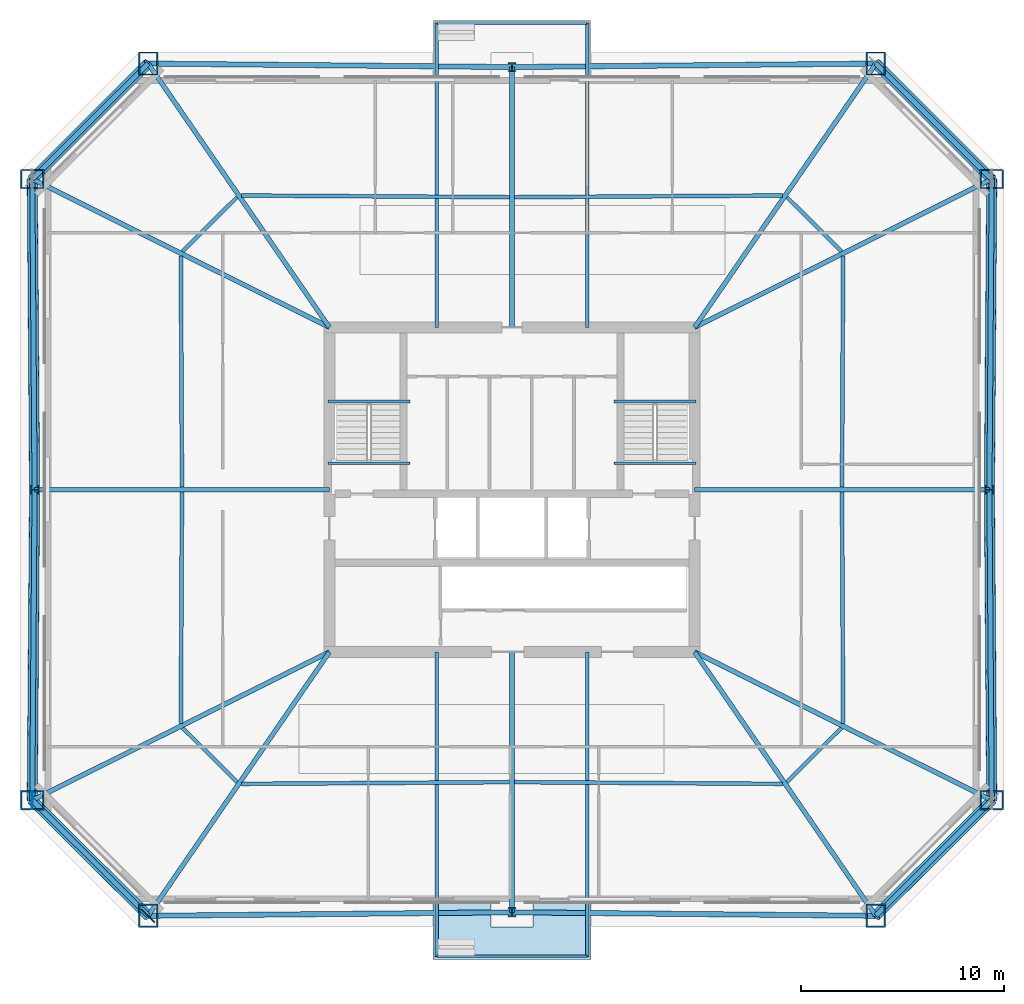
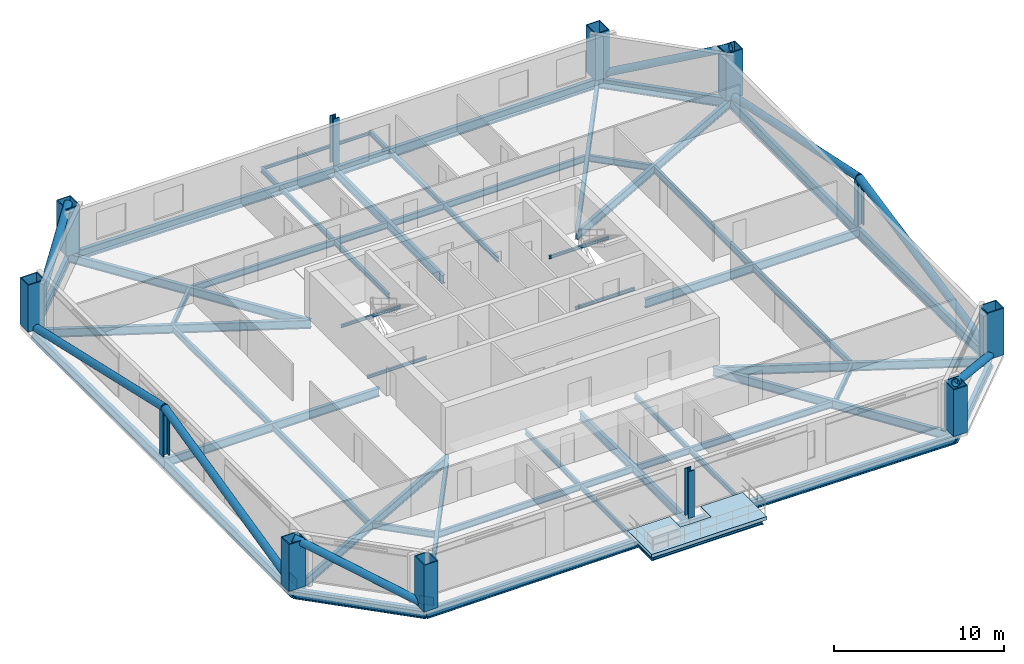
# One storey, part 1 of 7: 46 beams, 12 columns, 8 members, 2 plates, 1 slab.
"""IFC4 building model written with IfcOpenShell, lengths in metres."""

from ifc_helpers import new_model, si_unit, direction, frame, origin, origin_2d, place, context, subcontext, project, spatial, polyline, rectangle, hollow_rectangle, hollow_circle, i_section, outline, extrude, material, layer, layer_set, material_profile, profile_set, type_object, element, save


model = new_model("IFC4")

# Units and contexts
model_context = context("Model", 3, precision=1e-05, world=origin(), true_north=direction((0.0, 1.0)))
body_context = subcontext(model_context, "Body", "Model", "MODEL_VIEW")
ifc_project = project(units=[si_unit("LENGTHUNIT", "METRE"), si_unit("AREAUNIT", "SQUARE_METRE"), si_unit("VOLUMEUNIT", "CUBIC_METRE"), si_unit("PLANEANGLEUNIT", "RADIAN"), si_unit("MASSUNIT", "GRAM", prefix="KILO")], contexts=[model_context])

# Site, building, storey
site_placement = place(None, origin())
site = spatial("IfcSite", under=ifc_project, at=site_placement, CompositionType="ELEMENT")
building_placement = place(site_placement, origin())
building = spatial("IfcBuilding", under=site, at=building_placement, Name="Caelvoria Tower", CompositionType="ELEMENT")
storey_placement = place(building_placement, frame((0.0, 0.0, 106.0)))
storey = spatial("IfcBuildingStorey", under=building, at=storey_placement, Name="L27", CompositionType="ELEMENT", Elevation=106.0)

# Columns
ifc_material_1 = material(Name="Structural Steel ASTM A572 Gr.50", Category="steel")
ifc_material_profile_1 = material_profile(ifc_material_1, hollow_rectangle(XDim=0.949951171875, YDim=1.14990234375, WallThickness=0.06005859375, at=origin_2d()), Name="Structural Steel ASTM A572 Gr.50")
ifc_profile_set_1 = profile_set([ifc_material_profile_1], Name="BOX1150X950X60 - Structural Steel ASTM A572 Gr.50")
column_type_1 = type_object("IfcColumnType", Name="Mega Box Column 1150x950x60", PredefinedType="COLUMN", material=ifc_profile_set_1)
for number, where, z_axis, x_axis, name in (
    (1, (28.0673828125, 10.99755859375, 0.0), (0.0, 0.0, 1.0), (1.0, 0.0, 0.0), "Perimeter Megaframe Column L27-P00"),
    (2, (63.9326171875, 10.99755859375, 0.0), (0.0, 0.0, 1.0), (1.0, 0.0, 0.0), "Perimeter Megaframe Column L27-P02"),
    (3, (69.6455078125, 16.69140625, 0.0), (0.0, 0.0, 1.0), (0.0, 1.0, 0.0), "Perimeter Megaframe Column L27-P03"),
    (4, (69.6455078125, 47.30859375, 0.0), (0.0, 0.0, 1.0), (0.0, 1.0, 0.0), "Perimeter Megaframe Column L27-P05"),
    (5, (63.9326171875, 53.00244140625, 0.0), (0.0, 0.0, 1.0), (1.0, 0.0, 0.0), "Perimeter Megaframe Column L27-P06"),
    (6, (28.0673828125, 53.00244140625, 0.0), (0.0, 0.0, 1.0), (1.0, 0.0, 0.0), "Perimeter Megaframe Column L27-P08"),
    (7, (22.3544921875, 47.30859375, 0.0), (0.0, 0.0, 1.0), (0.0, 1.0, 0.0), "Perimeter Megaframe Column L27-P09"),
    (8, (22.3544921875, 16.69140625, 0.0), (0.0, 0.0, 1.0), (0.0, 1.0, 0.0), "Perimeter Megaframe Column L27-P11"),
):
    element("IfcColumn", number, at=place(storey_placement, frame(where, z_axis=z_axis, x_axis=x_axis)), inside=storey, type_object=column_type_1, Name=name, PredefinedType="COLUMN", context=body_context, shape_type="SweptSolid", body=[
        extrude(hollow_rectangle(XDim=0.949951171875, YDim=1.14990234375, WallThickness=0.06005859375, at=origin_2d()), origin(), (0.0, 0.0, 1.0), 3.35791015625),
    ])
ifc_material_2 = material(Name="Structural Steel ASTM A913 Gr.65", Category="steel")
ifc_material_profile_2 = material_profile(ifc_material_2, i_section(OverallWidth=0.41796875, OverallDepth=0.455078125, WebThickness=0.0419921875, FlangeThickness=0.067626953125, FilletRadius=0.02490234375, at=origin_2d()), Name="Structural Steel ASTM A913 Gr.65")
ifc_profile_set_2 = profile_set([ifc_material_profile_2], Name="W360X551 - Structural Steel ASTM A913 Gr.65")
column_type_2 = type_object("IfcColumnType", Name="Mid Frame Column W360X551", PredefinedType="COLUMN", material=ifc_profile_set_2)
for number, where, z_axis, x_axis, name in (
    (9, (46.0, 11.169921875, 0.0), (0.0, 0.0, 1.0), (1.0, 0.0, 0.0), "Perimeter Megaframe Column L27-P01"),
    (10, (69.530029296875, 32.0, 0.0), (0.0, 0.0, 1.0), (0.0, 1.0, 0.0), "Perimeter Megaframe Column L27-P04"),
    (11, (46.0, 52.830078125, 0.0), (0.0, 0.0, 1.0), (1.0, 0.0, 0.0), "Perimeter Megaframe Column L27-P07"),
    (12, (22.469970703125, 32.0, 0.0), (0.0, 0.0, 1.0), (0.0, 1.0, 0.0), "Perimeter Megaframe Column L27-P10"),
):
    element("IfcColumn", number, at=place(storey_placement, frame(where, z_axis=z_axis, x_axis=x_axis)), inside=storey, type_object=column_type_2, Name=name, PredefinedType="COLUMN", context=body_context, shape_type="SweptSolid", body=[
        extrude(i_section(OverallWidth=0.41796875, OverallDepth=0.455078125, WebThickness=0.0419921875, FlangeThickness=0.067626953125, FilletRadius=0.02490234375, at=origin_2d()), origin(), (0.0, 0.0, 1.0), 3.35791015625),
    ])

# Beams
ifc_material_3 = material(Name="Structural Steel ASTM A992 Gr.50", Category="steel")
ifc_material_profile_3 = material_profile(ifc_material_3, i_section(OverallWidth=0.134033203125, OverallDepth=0.2099609375, WebThickness=0.00634765625, FlangeThickness=0.01025390625, FilletRadius=0.010009765625, at=origin_2d()), Name="Structural Steel ASTM A992 Gr.50")
ifc_profile_set_3 = profile_set([ifc_material_profile_3], Name="W200X31.3 - Structural Steel ASTM A992 Gr.50")
beam_type_1 = type_object("IfcBeamType", Name="Canopy Edge Trim Beam W200X31.3", PredefinedType="BEAM", material=ifc_profile_set_3)
for number, where, z_axis, x_axis, name in (
    (13, (42.300048828125, 9.0, -0.428955078125), (1.0, 0.0, 0.0), (0.0, 1.0, 0.0), "Tree Balcony Edge Beam TB-L27-S"),
    (14, (42.300048828125, 55.0, -0.428955078125), (1.0, 0.0, 0.0), (0.0, 1.0, 0.0), "Tree Balcony Edge Beam TB-L27-N"),
):
    element("IfcBeam", number, at=place(storey_placement, frame(where, z_axis=z_axis, x_axis=x_axis)), inside=storey, type_object=beam_type_1, Name=name, PredefinedType="BEAM", context=body_context, shape_type="SweptSolid", body=[
        extrude(i_section(OverallWidth=0.134033203125, OverallDepth=0.2099609375, WebThickness=0.00634765625, FlangeThickness=0.01025390625, FilletRadius=0.010009765625, at=origin_2d()), origin(), (0.0, 0.0, 1.0), 7.39990234375),
    ])
for number, where, z_axis, x_axis, name in (
    (15, (36.929931640625, 36.35009765625, 1.4951171875), (1.0, 0.0, 0.0), (0.0, 1.0, 0.0), "ST-01 Half-Landing Support Beam L27"),
    (16, (36.929931640625, 33.300048828125, -0.304931640625), (1.0, 0.0, 0.0), (0.0, 1.0, 0.0), "ST-01 Floor-Landing Support Beam L27"),
    (17, (51.030029296875, 36.35009765625, 1.4951171875), (1.0, 0.0, 0.0), (0.0, 1.0, 0.0), "ST-02 Half-Landing Support Beam L27"),
    (18, (51.030029296875, 33.300048828125, -0.304931640625), (1.0, 0.0, 0.0), (0.0, 1.0, 0.0), "ST-02 Floor-Landing Support Beam L27"),
):
    element("IfcBeam", number, at=place(storey_placement, frame(where, z_axis=z_axis, x_axis=x_axis)), inside=storey, type_object=beam_type_1, Name=name, PredefinedType="BEAM", context=body_context, shape_type="SweptSolid", body=[
        extrude(i_section(OverallWidth=0.134033203125, OverallDepth=0.2099609375, WebThickness=0.00634765625, FlangeThickness=0.01025390625, FilletRadius=0.010009765625, at=origin_2d()), origin(), (0.0, 0.0, 1.0), 4.0400390625),
    ])

# Members
ifc_material_profile_4 = material_profile(ifc_material_1, hollow_circle(Radius=0.25390625, WallThickness=0.02001953125, at=origin_2d()), Name="Structural Steel ASTM A572 Gr.50")
ifc_profile_set_4 = profile_set([ifc_material_profile_4], Name="CHS508X20 - Structural Steel ASTM A572 Gr.50")
member_type = type_object("IfcMemberType", Name="Mid Perimeter Mega Brace CHS508X20", PredefinedType="BRACE", material=ifc_profile_set_4)
for number, where, z_axis, x_axis, name in (
    (19, (69.6455078125, 16.69140625, 0.0), (-0.653821123588, -0.651641719843, 0.38455299675), (0.705925318692, -0.708286272936, 0.0), "Perimeter Chamfer Mega Brace L27 SE"),
    (20, (63.9326171875, 53.00244140625, 0.0), (0.653821123588, -0.651641719843, 0.38455299675), (0.705925318692, 0.708286272936, 0.0), "Perimeter Chamfer Mega Brace L27 NE"),
    (21, (22.3544921875, 47.30859375, 0.0), (0.653821123588, 0.651641719843, 0.38455299675), (-0.705925318692, 0.708286272936, 0.0), "Perimeter Chamfer Mega Brace L27 NW"),
    (22, (28.0673828125, 10.99755859375, 0.0), (-0.653821123588, 0.651641719843, 0.38455299675), (-0.705925318692, -0.708286272936, 0.0), "Perimeter Chamfer Mega Brace L27 SW"),
):
    element("IfcMember", number, at=place(storey_placement, frame(where, z_axis=z_axis, x_axis=x_axis)), inside=storey, type_object=member_type, Name=name, PredefinedType="BRACE", context=body_context, shape_type="SweptSolid", body=[
        extrude(hollow_circle(Radius=0.25390625, WallThickness=0.02001953125, at=origin_2d()), origin(), (0.0, 0.0, 1.0), 8.73779296875),
    ])
for number, where, z_axis, x_axis, name in (
    (23, (69.6455078125, 16.69140625, 0.0), (-0.007367784016, 0.976722048561, 0.214382265156), (-0.999971549935, -0.007543163803, 0.0), "Perimeter Cardinal Mega Brace L27 EA"),
    (24, (69.6455078125, 47.30859375, 0.0), (-0.007367784016, -0.976722048561, 0.214382265156), (0.999971549935, -0.007543163803, 0.0), "Perimeter Cardinal Mega Brace L27 EB"),
    (25, (22.3544921875, 47.30859375, 0.0), (0.007367784016, -0.976722048561, 0.214382265156), (0.999971549935, 0.007543163803, 0.0), "Perimeter Cardinal Mega Brace L27 WA"),
    (26, (22.3544921875, 16.69140625, 0.0), (0.007367784016, 0.976722048561, 0.214382265156), (-0.999971549935, 0.007543163803, 0.0), "Perimeter Cardinal Mega Brace L27 WB"),
):
    element("IfcMember", number, at=place(storey_placement, frame(where, z_axis=z_axis, x_axis=x_axis)), inside=storey, type_object=member_type, Name=name, PredefinedType="BRACE", context=body_context, shape_type="SweptSolid", body=[
        extrude(hollow_circle(Radius=0.25390625, WallThickness=0.02001953125, at=origin_2d()), origin(), (0.0, 0.0, 1.0), 15.67333984375),
    ])

# Beams
ifc_material_profile_5 = material_profile(ifc_material_3, i_section(OverallWidth=0.25390625, OverallDepth=0.68798828125, WebThickness=0.01318359375, FlangeThickness=0.02099609375, FilletRadius=0.01904296875, at=origin_2d()), Name="Structural Steel ASTM A992 Gr.50")
ifc_profile_set_5 = profile_set([ifc_material_profile_5], Name="W690X152 - Structural Steel ASTM A992 Gr.50")
beam_type_2 = type_object("IfcBeamType", Name="Perimeter Spandrel Girder W690X152", PredefinedType="BEAM", material=ifc_profile_set_5)
for number, where, z_axis, x_axis, name in (
    (27, (28.0673828125, 10.99755859375, -0.583984375), (0.999953810627, 0.009611275259, 0.0), (-0.009611275259, 0.999953810627, 0.0), "Perimeter Spandrel Girder L27-00"),
    (28, (46.0, 11.169921875, -0.583984375), (0.999953810627, -0.009611275259, 0.0), (0.009611275259, 0.999953810627, 0.0), "Perimeter Spandrel Girder L27-01"),
):
    element("IfcBeam", number, at=place(storey_placement, frame(where, z_axis=z_axis, x_axis=x_axis)), inside=storey, type_object=beam_type_2, Name=name, PredefinedType="BEAM", context=body_context, shape_type="SweptSolid", body=[
        extrude(i_section(OverallWidth=0.25390625, OverallDepth=0.68798828125, WebThickness=0.01318359375, FlangeThickness=0.02099609375, FilletRadius=0.01904296875, at=origin_2d()), origin(), (0.0, 0.0, 1.0), 17.933349609375),
    ])
beam_1_placement = place(storey_placement, frame((63.9326171875, 10.99755859375, -0.583984375), z_axis=(0.708286272936, 0.705925318692, 0.0), x_axis=(-0.705925318692, 0.708286272936, 0.0)))
element("IfcBeam", 29, at=beam_1_placement, inside=storey, type_object=beam_type_2, Name="Perimeter Spandrel Girder L27-02", PredefinedType="BEAM", context=body_context, shape_type="SweptSolid", body=[
    extrude(i_section(OverallWidth=0.25390625, OverallDepth=0.68798828125, WebThickness=0.01318359375, FlangeThickness=0.02099609375, FilletRadius=0.01904296875, at=origin_2d()), origin(), (0.0, 0.0, 1.0), 8.065673828125),
])
for number, where, z_axis, x_axis, name in (
    (30, (69.6455078125, 16.69140625, -0.583984375), (-0.007543163803, 0.999971549935, 0.0), (-0.999971549935, -0.007543163803, 0.0), "Perimeter Spandrel Girder L27-03"),
    (31, (69.530029296875, 32.0, -0.583984375), (0.007543163803, 0.999971549935, 0.0), (-0.999971549935, 0.007543163803, 0.0), "Perimeter Spandrel Girder L27-04"),
):
    element("IfcBeam", number, at=place(storey_placement, frame(where, z_axis=z_axis, x_axis=x_axis)), inside=storey, type_object=beam_type_2, Name=name, PredefinedType="BEAM", context=body_context, shape_type="SweptSolid", body=[
        extrude(i_section(OverallWidth=0.25390625, OverallDepth=0.68798828125, WebThickness=0.01318359375, FlangeThickness=0.02099609375, FilletRadius=0.01904296875, at=origin_2d()), origin(), (0.0, 0.0, 1.0), 15.30908203125),
    ])
beam_2_placement = place(storey_placement, frame((69.6455078125, 47.30859375, -0.583984375), z_axis=(-0.708286272936, 0.705925318692, 0.0), x_axis=(-0.705925318692, -0.708286272936, 0.0)))
element("IfcBeam", 32, at=beam_2_placement, inside=storey, type_object=beam_type_2, Name="Perimeter Spandrel Girder L27-05", PredefinedType="BEAM", context=body_context, shape_type="SweptSolid", body=[
    extrude(i_section(OverallWidth=0.25390625, OverallDepth=0.68798828125, WebThickness=0.01318359375, FlangeThickness=0.02099609375, FilletRadius=0.01904296875, at=origin_2d()), origin(), (0.0, 0.0, 1.0), 8.065673828125),
])
for number, where, z_axis, x_axis, name in (
    (33, (63.9326171875, 53.00244140625, -0.583984375), (-0.999953810627, -0.009611275259, 0.0), (0.009611275259, -0.999953810627, 0.0), "Perimeter Spandrel Girder L27-06"),
    (34, (46.0, 52.830078125, -0.583984375), (-0.999953810627, 0.009611275259, 0.0), (-0.009611275259, -0.999953810627, 0.0), "Perimeter Spandrel Girder L27-07"),
):
    element("IfcBeam", number, at=place(storey_placement, frame(where, z_axis=z_axis, x_axis=x_axis)), inside=storey, type_object=beam_type_2, Name=name, PredefinedType="BEAM", context=body_context, shape_type="SweptSolid", body=[
        extrude(i_section(OverallWidth=0.25390625, OverallDepth=0.68798828125, WebThickness=0.01318359375, FlangeThickness=0.02099609375, FilletRadius=0.01904296875, at=origin_2d()), origin(), (0.0, 0.0, 1.0), 17.933349609375),
    ])
beam_3_placement = place(storey_placement, frame((28.0673828125, 53.00244140625, -0.583984375), z_axis=(-0.708286272936, -0.705925318692, 0.0), x_axis=(0.705925318692, -0.708286272936, 0.0)))
element("IfcBeam", 35, at=beam_3_placement, inside=storey, type_object=beam_type_2, Name="Perimeter Spandrel Girder L27-08", PredefinedType="BEAM", context=body_context, shape_type="SweptSolid", body=[
    extrude(i_section(OverallWidth=0.25390625, OverallDepth=0.68798828125, WebThickness=0.01318359375, FlangeThickness=0.02099609375, FilletRadius=0.01904296875, at=origin_2d()), origin(), (0.0, 0.0, 1.0), 8.065673828125),
])
for number, where, z_axis, x_axis, name in (
    (36, (22.3544921875, 47.30859375, -0.583984375), (0.007543163803, -0.999971549935, 0.0), (0.999971549935, 0.007543163803, 0.0), "Perimeter Spandrel Girder L27-09"),
    (37, (22.469970703125, 32.0, -0.583984375), (-0.007543163803, -0.999971549935, 0.0), (0.999971549935, -0.007543163803, 0.0), "Perimeter Spandrel Girder L27-10"),
):
    element("IfcBeam", number, at=place(storey_placement, frame(where, z_axis=z_axis, x_axis=x_axis)), inside=storey, type_object=beam_type_2, Name=name, PredefinedType="BEAM", context=body_context, shape_type="SweptSolid", body=[
        extrude(i_section(OverallWidth=0.25390625, OverallDepth=0.68798828125, WebThickness=0.01318359375, FlangeThickness=0.02099609375, FilletRadius=0.01904296875, at=origin_2d()), origin(), (0.0, 0.0, 1.0), 15.30908203125),
    ])
beam_4_placement = place(storey_placement, frame((22.3544921875, 16.69140625, -0.583984375), z_axis=(0.708286272936, -0.705925318692, 0.0), x_axis=(0.705925318692, 0.708286272936, 0.0)))
element("IfcBeam", 38, at=beam_4_placement, inside=storey, type_object=beam_type_2, Name="Perimeter Spandrel Girder L27-11", PredefinedType="BEAM", context=body_context, shape_type="SweptSolid", body=[
    extrude(i_section(OverallWidth=0.25390625, OverallDepth=0.68798828125, WebThickness=0.01318359375, FlangeThickness=0.02099609375, FilletRadius=0.01904296875, at=origin_2d()), origin(), (0.0, 0.0, 1.0), 8.065673828125),
])
ifc_material_profile_6 = material_profile(ifc_material_3, i_section(OverallWidth=0.22900390625, OverallDepth=0.612060546875, WebThickness=0.011962890625, FlangeThickness=0.01953125, FilletRadius=0.01806640625, at=origin_2d()), Name="Structural Steel ASTM A992 Gr.50")
ifc_profile_set_6 = profile_set([ifc_material_profile_6], Name="W610X125 - Structural Steel ASTM A992 Gr.50")
beam_type_3 = type_object("IfcBeamType", Name="Primary Radial Floor Girder W610X125", PredefinedType="BEAM", material=ifc_profile_set_6)
beam_5_placement = place(storey_placement, frame((37.0, 24.0, -0.5458984375), z_axis=(-0.566246357652, -0.824236047771, 0.0), x_axis=(0.824236047771, -0.566246357652, 0.0)))
element("IfcBeam", 39, at=beam_5_placement, inside=storey, type_object=beam_type_3, Name="Primary Floor Girder L27-00", PredefinedType="BEAM", context=body_context, shape_type="SweptSolid", body=[
    extrude(i_section(OverallWidth=0.22900390625, OverallDepth=0.612060546875, WebThickness=0.011962890625, FlangeThickness=0.01953125, FilletRadius=0.01806640625, at=origin_2d()), origin(), (0.0, 0.0, 1.0), 15.775146484375),
])
beam_6_placement = place(storey_placement, frame((46.0, 24.0, -0.5458984375), z_axis=(0.0, -1.0, 0.0), x_axis=(1.0, 0.0, 0.0)))
element("IfcBeam", 40, at=beam_6_placement, inside=storey, type_object=beam_type_3, Name="Primary Floor Girder L27-01", PredefinedType="BEAM", context=body_context, shape_type="SweptSolid", body=[
    extrude(i_section(OverallWidth=0.22900390625, OverallDepth=0.612060546875, WebThickness=0.011962890625, FlangeThickness=0.01953125, FilletRadius=0.01806640625, at=origin_2d()), origin(), (0.0, 0.0, 1.0), 12.830078125),
])
beam_7_placement = place(storey_placement, frame((55.0, 24.0, -0.5458984375), z_axis=(0.566246357652, -0.824236047771, 0.0), x_axis=(0.824236047771, 0.566246357652, 0.0)))
element("IfcBeam", 41, at=beam_7_placement, inside=storey, type_object=beam_type_3, Name="Primary Floor Girder L27-02", PredefinedType="BEAM", context=body_context, shape_type="SweptSolid", body=[
    extrude(i_section(OverallWidth=0.22900390625, OverallDepth=0.612060546875, WebThickness=0.011962890625, FlangeThickness=0.01953125, FilletRadius=0.01806640625, at=origin_2d()), origin(), (0.0, 0.0, 1.0), 15.775146484375),
])
beam_8_placement = place(storey_placement, frame((55.0, 24.0, -0.5458984375), z_axis=(0.894772971324, -0.446521365432, 0.0), x_axis=(0.446521365432, 0.894772971324, 0.0)))
element("IfcBeam", 42, at=beam_8_placement, inside=storey, type_object=beam_type_3, Name="Primary Floor Girder L27-03", PredefinedType="BEAM", context=body_context, shape_type="SweptSolid", body=[
    extrude(i_section(OverallWidth=0.22900390625, OverallDepth=0.612060546875, WebThickness=0.011962890625, FlangeThickness=0.01953125, FilletRadius=0.01806640625, at=origin_2d()), origin(), (0.0, 0.0, 1.0), 16.367919921875),
])
beam_9_placement = place(storey_placement, frame((55.0, 32.0, -0.5458984375), z_axis=(1.0, 0.0, 0.0), x_axis=(0.0, 1.0, 0.0)))
element("IfcBeam", 43, at=beam_9_placement, inside=storey, type_object=beam_type_3, Name="Primary Floor Girder L27-04", PredefinedType="BEAM", context=body_context, shape_type="SweptSolid", body=[
    extrude(i_section(OverallWidth=0.22900390625, OverallDepth=0.612060546875, WebThickness=0.011962890625, FlangeThickness=0.01953125, FilletRadius=0.01806640625, at=origin_2d()), origin(), (0.0, 0.0, 1.0), 14.530029296875),
])
beam_10_placement = place(storey_placement, frame((55.0, 40.0, -0.5458984375), z_axis=(0.894772971324, 0.446521365432, 0.0), x_axis=(-0.446521365432, 0.894772971324, 0.0)))
element("IfcBeam", 44, at=beam_10_placement, inside=storey, type_object=beam_type_3, Name="Primary Floor Girder L27-05", PredefinedType="BEAM", context=body_context, shape_type="SweptSolid", body=[
    extrude(i_section(OverallWidth=0.22900390625, OverallDepth=0.612060546875, WebThickness=0.011962890625, FlangeThickness=0.01953125, FilletRadius=0.01806640625, at=origin_2d()), origin(), (0.0, 0.0, 1.0), 16.367919921875),
])
beam_11_placement = place(storey_placement, frame((55.0, 40.0, -0.5458984375), z_axis=(0.566246357652, 0.824236047771, 0.0), x_axis=(-0.824236047771, 0.566246357652, 0.0)))
element("IfcBeam", 45, at=beam_11_placement, inside=storey, type_object=beam_type_3, Name="Primary Floor Girder L27-06", PredefinedType="BEAM", context=body_context, shape_type="SweptSolid", body=[
    extrude(i_section(OverallWidth=0.22900390625, OverallDepth=0.612060546875, WebThickness=0.011962890625, FlangeThickness=0.01953125, FilletRadius=0.01806640625, at=origin_2d()), origin(), (0.0, 0.0, 1.0), 15.775146484375),
])
beam_12_placement = place(storey_placement, frame((46.0, 40.0, -0.5458984375), z_axis=(0.0, 1.0, 0.0), x_axis=(-1.0, 0.0, 0.0)))
element("IfcBeam", 46, at=beam_12_placement, inside=storey, type_object=beam_type_3, Name="Primary Floor Girder L27-07", PredefinedType="BEAM", context=body_context, shape_type="SweptSolid", body=[
    extrude(i_section(OverallWidth=0.22900390625, OverallDepth=0.612060546875, WebThickness=0.011962890625, FlangeThickness=0.01953125, FilletRadius=0.01806640625, at=origin_2d()), origin(), (0.0, 0.0, 1.0), 12.830078125),
])
beam_13_placement = place(storey_placement, frame((37.0, 40.0, -0.5458984375), z_axis=(-0.566246357652, 0.824236047771, 0.0), x_axis=(-0.824236047771, -0.566246357652, 0.0)))
element("IfcBeam", 47, at=beam_13_placement, inside=storey, type_object=beam_type_3, Name="Primary Floor Girder L27-08", PredefinedType="BEAM", context=body_context, shape_type="SweptSolid", body=[
    extrude(i_section(OverallWidth=0.22900390625, OverallDepth=0.612060546875, WebThickness=0.011962890625, FlangeThickness=0.01953125, FilletRadius=0.01806640625, at=origin_2d()), origin(), (0.0, 0.0, 1.0), 15.775146484375),
])
beam_14_placement = place(storey_placement, frame((37.0, 40.0, -0.5458984375), z_axis=(-0.894772971324, 0.446521365432, 0.0), x_axis=(-0.446521365432, -0.894772971324, 0.0)))
element("IfcBeam", 48, at=beam_14_placement, inside=storey, type_object=beam_type_3, Name="Primary Floor Girder L27-09", PredefinedType="BEAM", context=body_context, shape_type="SweptSolid", body=[
    extrude(i_section(OverallWidth=0.22900390625, OverallDepth=0.612060546875, WebThickness=0.011962890625, FlangeThickness=0.01953125, FilletRadius=0.01806640625, at=origin_2d()), origin(), (0.0, 0.0, 1.0), 16.367919921875),
])
beam_15_placement = place(storey_placement, frame((37.0, 32.0, -0.5458984375), z_axis=(-1.0, 0.0, 0.0), x_axis=(0.0, -1.0, 0.0)))
element("IfcBeam", 49, at=beam_15_placement, inside=storey, type_object=beam_type_3, Name="Primary Floor Girder L27-10", PredefinedType="BEAM", context=body_context, shape_type="SweptSolid", body=[
    extrude(i_section(OverallWidth=0.22900390625, OverallDepth=0.612060546875, WebThickness=0.011962890625, FlangeThickness=0.01953125, FilletRadius=0.01806640625, at=origin_2d()), origin(), (0.0, 0.0, 1.0), 14.530029296875),
])
beam_16_placement = place(storey_placement, frame((37.0, 24.0, -0.5458984375), z_axis=(-0.894772971324, -0.446521365432, 0.0), x_axis=(0.446521365432, -0.894772971324, 0.0)))
element("IfcBeam", 50, at=beam_16_placement, inside=storey, type_object=beam_type_3, Name="Primary Floor Girder L27-11", PredefinedType="BEAM", context=body_context, shape_type="SweptSolid", body=[
    extrude(i_section(OverallWidth=0.22900390625, OverallDepth=0.612060546875, WebThickness=0.011962890625, FlangeThickness=0.01953125, FilletRadius=0.01806640625, at=origin_2d()), origin(), (0.0, 0.0, 1.0), 16.367919921875),
])
ifc_material_profile_7 = material_profile(ifc_material_3, i_section(OverallWidth=0.18994140625, OverallDepth=0.45703125, WebThickness=0.009033203125, FlangeThickness=0.014404296875, FilletRadius=0.014892578125, at=origin_2d()), Name="Structural Steel ASTM A992 Gr.50")
ifc_profile_set_7 = profile_set([ifc_material_profile_7], Name="W460X74 - Structural Steel ASTM A992 Gr.50")
beam_type_4 = type_object("IfcBeamType", Name="Secondary Floor Beam W460X74", PredefinedType="BEAM", material=ifc_profile_set_7)
for number, where, z_axis, x_axis, name in (
    (51, (32.65869140625, 17.49951171875, -0.468505859375), (0.999979456458, 0.006409887897, 0.0), (-0.006409887897, 0.999979456458, 0.0), "Secondary Floor Beam L27-00"),
    (52, (46.125, 17.584228515625, -0.468505859375), (0.999979456458, -0.006409887897, 0.0), (0.006409887897, 0.999979456458, 0.0), "Secondary Floor Beam L27-01"),
):
    element("IfcBeam", number, at=place(storey_placement, frame(where, z_axis=z_axis, x_axis=x_axis)), inside=storey, type_object=beam_type_4, Name=name, PredefinedType="BEAM", context=body_context, shape_type="SweptSolid", body=[
        extrude(i_section(OverallWidth=0.18994140625, OverallDepth=0.45703125, WebThickness=0.009033203125, FlangeThickness=0.014404296875, FilletRadius=0.014892578125, at=origin_2d()), origin(), (0.0, 0.0, 1.0), 13.216552734375),
    ])
beam_17_placement = place(storey_placement, frame((59.5546875, 17.5869140625, -0.468505859375), z_axis=(0.708331875661, 0.705879560494, 0.0), x_axis=(-0.705879560494, 0.708331875661, 0.0)))
element("IfcBeam", 53, at=beam_17_placement, inside=storey, type_object=beam_type_4, Name="Secondary Floor Beam L27-02", PredefinedType="BEAM", context=body_context, shape_type="SweptSolid", body=[
    extrude(i_section(OverallWidth=0.18994140625, OverallDepth=0.45703125, WebThickness=0.009033203125, FlangeThickness=0.014404296875, FilletRadius=0.014892578125, at=origin_2d()), origin(), (0.0, 0.0, 1.0), 3.783203125),
])
for number, where, z_axis, x_axis, name in (
    (54, (62.322265625, 20.470703125, -0.468505859375), (-0.004966542616, 0.999987666651, 0.0), (-0.999987666651, -0.004966542616, 0.0), "Secondary Floor Beam L27-03"),
    (55, (62.265625, 32.125, -0.468505859375), (0.004966542616, 0.999987666651, 0.0), (-0.999987666651, 0.004966542616, 0.0), "Secondary Floor Beam L27-04"),
):
    element("IfcBeam", number, at=place(storey_placement, frame(where, z_axis=z_axis, x_axis=x_axis)), inside=storey, type_object=beam_type_4, Name=name, PredefinedType="BEAM", context=body_context, shape_type="SweptSolid", body=[
        extrude(i_section(OverallWidth=0.18994140625, OverallDepth=0.45703125, WebThickness=0.009033203125, FlangeThickness=0.014404296875, FilletRadius=0.014892578125, at=origin_2d()), origin(), (0.0, 0.0, 1.0), 11.404541015625),
    ])
beam_18_placement = place(storey_placement, frame((62.234375, 43.74267578125, -0.468505859375), z_axis=(-0.708331875661, 0.705879560494, 0.0), x_axis=(-0.705879560494, -0.708331875661, 0.0)))
element("IfcBeam", 56, at=beam_18_placement, inside=storey, type_object=beam_type_4, Name="Secondary Floor Beam L27-05", PredefinedType="BEAM", context=body_context, shape_type="SweptSolid", body=[
    extrude(i_section(OverallWidth=0.18994140625, OverallDepth=0.45703125, WebThickness=0.009033203125, FlangeThickness=0.014404296875, FilletRadius=0.014892578125, at=origin_2d()), origin(), (0.0, 0.0, 1.0), 3.783203125),
])
for number, where, z_axis, x_axis, name in (
    (57, (59.34130859375, 46.50048828125, -0.468505859375), (-0.999979456458, -0.006409887897, 0.0), (0.006409887897, -0.999979456458, 0.0), "Secondary Floor Beam L27-06"),
    (58, (45.875, 46.415771484375, -0.468505859375), (-0.999979456458, 0.006409887897, 0.0), (-0.006409887897, -0.999979456458, 0.0), "Secondary Floor Beam L27-07"),
):
    element("IfcBeam", number, at=place(storey_placement, frame(where, z_axis=z_axis, x_axis=x_axis)), inside=storey, type_object=beam_type_4, Name=name, PredefinedType="BEAM", context=body_context, shape_type="SweptSolid", body=[
        extrude(i_section(OverallWidth=0.18994140625, OverallDepth=0.45703125, WebThickness=0.009033203125, FlangeThickness=0.014404296875, FilletRadius=0.014892578125, at=origin_2d()), origin(), (0.0, 0.0, 1.0), 13.216552734375),
    ])
beam_19_placement = place(storey_placement, frame((32.4453125, 46.4130859375, -0.468505859375), z_axis=(-0.708331875661, -0.705879560494, 0.0), x_axis=(0.705879560494, -0.708331875661, 0.0)))
element("IfcBeam", 59, at=beam_19_placement, inside=storey, type_object=beam_type_4, Name="Secondary Floor Beam L27-08", PredefinedType="BEAM", context=body_context, shape_type="SweptSolid", body=[
    extrude(i_section(OverallWidth=0.18994140625, OverallDepth=0.45703125, WebThickness=0.009033203125, FlangeThickness=0.014404296875, FilletRadius=0.014892578125, at=origin_2d()), origin(), (0.0, 0.0, 1.0), 3.783203125),
])
for number, where, z_axis, x_axis, name in (
    (60, (29.677734375, 43.529296875, -0.468505859375), (0.004966542616, -0.999987666651, 0.0), (0.999987666651, 0.004966542616, 0.0), "Secondary Floor Beam L27-09"),
    (61, (29.734375, 31.875, -0.468505859375), (-0.004966542616, -0.999987666651, 0.0), (0.999987666651, -0.004966542616, 0.0), "Secondary Floor Beam L27-10"),
):
    element("IfcBeam", number, at=place(storey_placement, frame(where, z_axis=z_axis, x_axis=x_axis)), inside=storey, type_object=beam_type_4, Name=name, PredefinedType="BEAM", context=body_context, shape_type="SweptSolid", body=[
        extrude(i_section(OverallWidth=0.18994140625, OverallDepth=0.45703125, WebThickness=0.009033203125, FlangeThickness=0.014404296875, FilletRadius=0.014892578125, at=origin_2d()), origin(), (0.0, 0.0, 1.0), 11.404541015625),
    ])
beam_20_placement = place(storey_placement, frame((29.765625, 20.25732421875, -0.468505859375), z_axis=(0.708331875661, -0.705879560494, 0.0), x_axis=(0.705879560494, 0.708331875661, 0.0)))
element("IfcBeam", 62, at=beam_20_placement, inside=storey, type_object=beam_type_4, Name="Secondary Floor Beam L27-11", PredefinedType="BEAM", context=body_context, shape_type="SweptSolid", body=[
    extrude(i_section(OverallWidth=0.18994140625, OverallDepth=0.45703125, WebThickness=0.009033203125, FlangeThickness=0.014404296875, FilletRadius=0.014892578125, at=origin_2d()), origin(), (0.0, 0.0, 1.0), 3.783203125),
])
ifc_material_profile_8 = material_profile(ifc_material_3, i_section(OverallWidth=0.1708984375, OverallDepth=0.35498046875, WebThickness=0.007080078125, FlangeThickness=0.01171875, FilletRadius=0.012939453125, at=origin_2d()), Name="Structural Steel ASTM A992 Gr.50")
ifc_profile_set_8 = profile_set([ifc_material_profile_8], Name="W360X51 - Structural Steel ASTM A992 Gr.50")
beam_type_5 = type_object("IfcBeamType", Name="Tree Balcony Cantilever Beam W360X51", PredefinedType="BEAM", material=ifc_profile_set_8)
for number, where, z_axis, x_axis, name in (
    (63, (42.300048828125, 24.0, -0.428955078125), (0.0, -1.0, 0.0), (1.0, 0.0, 0.0), "Tree Balcony Cantilever Beam TB-L27-S L"),
    (64, (49.699951171875, 24.0, -0.428955078125), (0.0, -1.0, 0.0), (1.0, 0.0, 0.0), "Tree Balcony Cantilever Beam TB-L27-S R"),
    (65, (42.300048828125, 40.0, -0.428955078125), (0.0, 1.0, 0.0), (-1.0, 0.0, 0.0), "Tree Balcony Cantilever Beam TB-L27-N L"),
    (66, (49.699951171875, 40.0, -0.428955078125), (0.0, 1.0, 0.0), (-1.0, 0.0, 0.0), "Tree Balcony Cantilever Beam TB-L27-N R"),
):
    element("IfcBeam", number, at=place(storey_placement, frame(where, z_axis=z_axis, x_axis=x_axis)), inside=storey, type_object=beam_type_5, Name=name, PredefinedType="BEAM", context=body_context, shape_type="SweptSolid", body=[
        extrude(i_section(OverallWidth=0.1708984375, OverallDepth=0.35498046875, WebThickness=0.007080078125, FlangeThickness=0.01171875, FilletRadius=0.012939453125, at=origin_2d()), origin(), (0.0, 0.0, 1.0), 15.0),
    ])

# Plates
ifc_layer_1 = layer(ifc_material_1, 0.0400390625, Name="Structural Steel ASTM A572 Gr.50")
ifc_layer_set_1 = layer_set([ifc_layer_1], Name="Megaframe Node Gusset Plate 900x600x40 - Structural Steel ASTM A572 Gr.50")
plate_type = type_object("IfcPlateType", Name="Megaframe Node Gusset Plate 900x600x40", PredefinedType="USERDEFINED", material=ifc_layer_set_1)
for number, where, z_axis, x_axis, name in (
    (67, (28.0673828125, 10.99755859375, 0.02001953125), (0.0, 0.0, 1.0), (-0.708307805559, 0.705903713394, 0.0), "Chamfer Mega Brace Gusset L27 SW"),
    (68, (22.3544921875, 16.69140625, 0.050048828125), (0.0, 0.0, 1.0), (0.007550222608, 0.999971496663, 0.0), "Megaframe Node Gusset Plate ND-04"),
):
    element("IfcPlate", number, at=place(storey_placement, frame(where, z_axis=z_axis, x_axis=x_axis)), inside=storey, type_object=plate_type, Name=name, ObjectType="GUSSET_PLATE", PredefinedType="USERDEFINED", context=body_context, shape_type="SweptSolid", body=[
        extrude(rectangle(XDim=0.89990234375, YDim=0.0400390625, at=origin_2d()), origin(), (0.0, 0.0, 1.0), 0.60009765625),
    ])

# Slab
ifc_material_4 = material(Name="Concrete C45/55", Category="concrete")
ifc_layer_2 = layer(ifc_material_4, 0.25, Name="Concrete C45/55")
ifc_layer_set_2 = layer_set([ifc_layer_2], Name="Tree Balcony Structural Planter Slab 250 - Concrete C45/55")
slab_type = type_object("IfcSlabType", Name="Tree Balcony Structural Planter Slab 250", PredefinedType="FLOOR", material=ifc_layer_set_2)
slab_placement = place(storey_placement, frame((0.0, 0.0, -0.25)))
element("IfcSlab", 69, at=slab_placement, inside=storey, type_object=slab_type, Name="Tree Balcony Slab TB-L27-S", PredefinedType="FLOOR", context=body_context, shape_type="SweptSolid", body=[
    extrude(outline(polyline([(49.89990234375, 10.449951171875), (49.89990234375, 11.68994140625), (47.0400390625, 11.68994140625), (47.0400390625, 10.449951171875), (44.9599609375, 10.449951171875), (44.9599609375, 11.68994140625), (42.10009765625, 11.68994140625), (42.10009765625, 10.449951171875), (42.10009765625, 8.85009765625), (49.89990234375, 8.85009765625), (49.89990234375, 10.449951171875)])), origin(), (0.0, 0.0, 1.0), 0.25),
])

save(model, "model.ifc")
